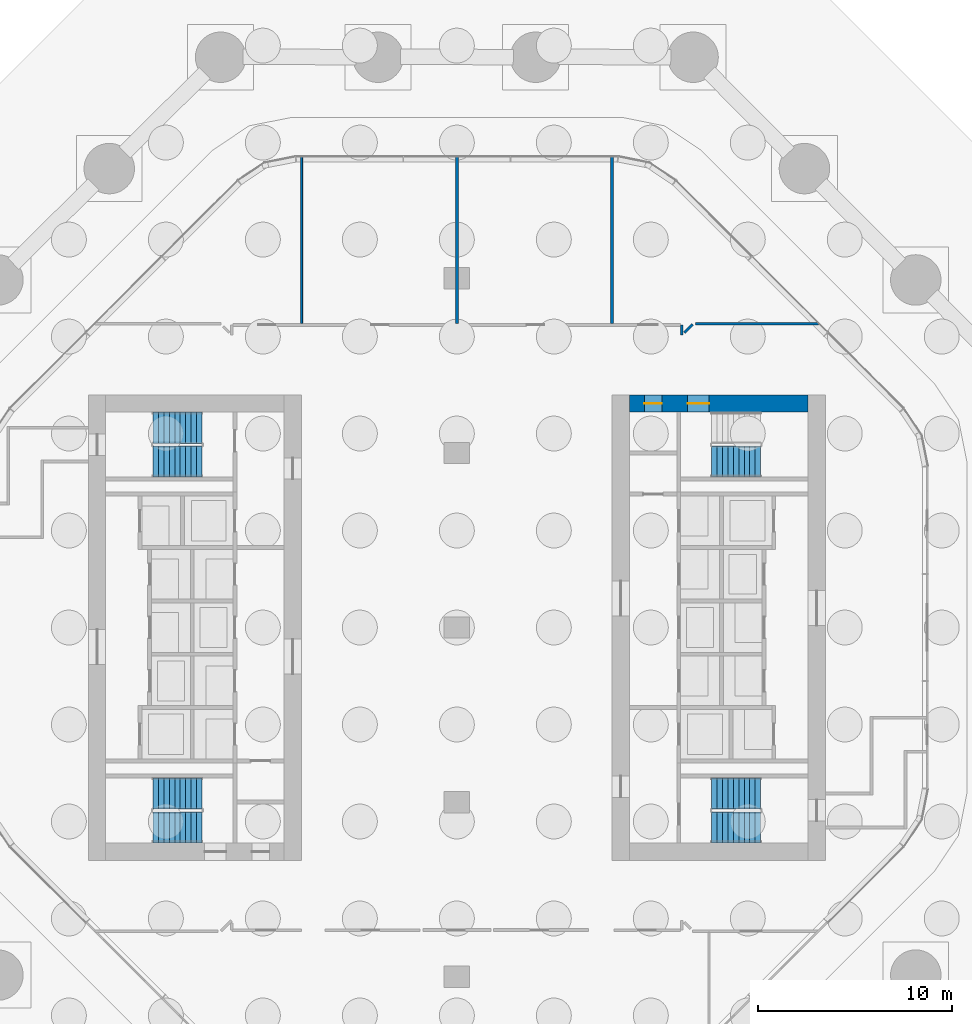
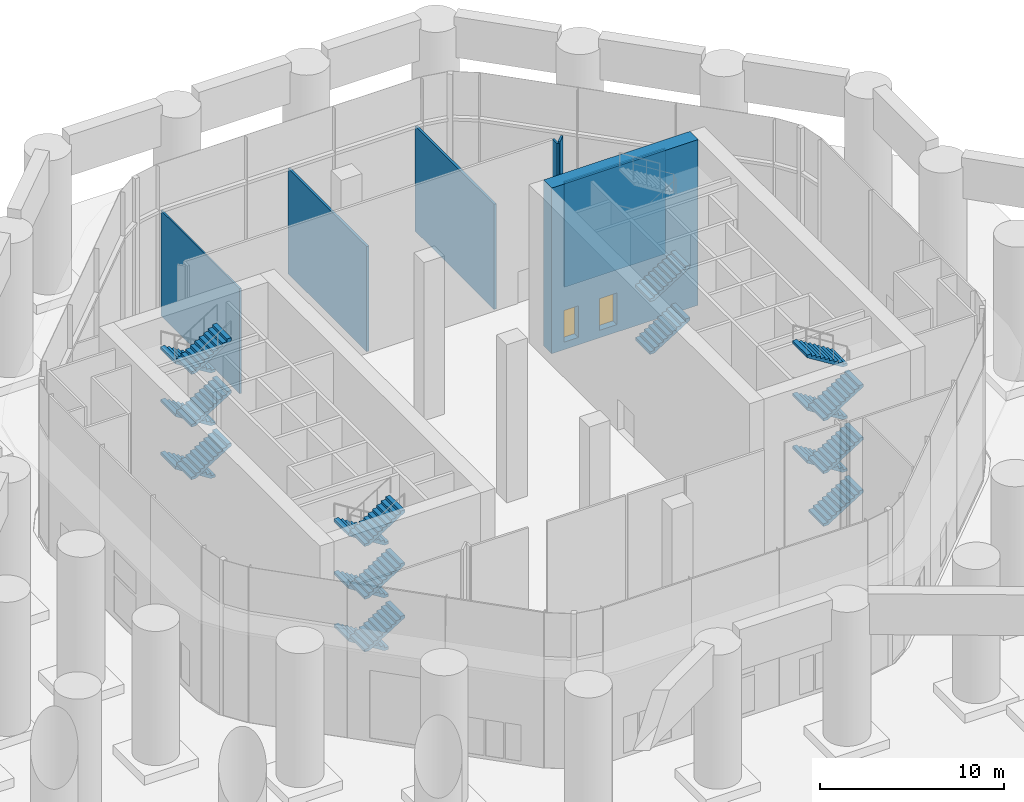
# One storey, part 26 of 31: 20 stair flights, 7 walls, 2 doors, 2 openings, 4 elements without a shape of their own.
"""IFC4 building model written with IfcOpenShell, lengths in metres."""

from ifc_helpers import new_model, si_unit, direction, frame, frame_2d, origin, place, context, subcontext, project, spatial, polyline, rectangle, outline, extrude, material, layer, layer_set, type_object, element, fill, aggregate, save


model = new_model("IFC4")

# Units and contexts
model_context = context("Model", 3, precision=1e-05, world=origin(), true_north=direction((0.0, 1.0)))
body_context = subcontext(model_context, "Body", "Model", "MODEL_VIEW")
ifc_project = project(units=[si_unit("LENGTHUNIT", "METRE"), si_unit("AREAUNIT", "SQUARE_METRE"), si_unit("VOLUMEUNIT", "CUBIC_METRE"), si_unit("PLANEANGLEUNIT", "RADIAN"), si_unit("MASSUNIT", "GRAM", prefix="KILO")], contexts=[model_context])

# Site, building, storey
site_placement = place(None, origin())
site = spatial("IfcSite", under=ifc_project, at=site_placement, CompositionType="ELEMENT")
building_placement = place(site_placement, origin())
building = spatial("IfcBuilding", under=site, at=building_placement, Name="Orlundy Tower", CompositionType="ELEMENT")
storey_placement = place(building_placement, origin())
storey = spatial("IfcBuildingStorey", under=building, at=storey_placement, Name="L00", CompositionType="ELEMENT", Elevation=0.0)

# Wall, openings, doors
ifc_material_1 = material(Name="Concrete C80/95", Category="concrete")
ifc_layer_1 = layer(ifc_material_1, 0.89990234375)
ifc_layer_set_1 = layer_set([ifc_layer_1], Name="CORE WALL 900 C80/95")
wall_type_1 = type_object("IfcWallType", Name="CORE WALL 900 C80/95", PredefinedType="SHEAR", material=ifc_layer_set_1)
wall_1_placement = place(storey_placement, frame((8.89990234375, 11.550048828125, -0.5), z_axis=(0.0, 0.0, 1.0), x_axis=(1.0, 0.0, 0.0)))
wall_1 = element("IfcWall", 1, at=wall_1_placement, inside=storey, type_object=wall_type_1, Name="Core wall E-N L00", PredefinedType="SHEAR", context=body_context, shape_type="SweptSolid", body=[
    extrude(rectangle(XDim=9.2001953125, YDim=0.89990234375, at=frame_2d((4.60009765625, 0.0))), origin(), (0.0, 0.0, 1.0), 11.0),
])
opening_1_placement = place(wall_1_placement, frame((3.0, 0.0, 0.5)))
opening_1 = element("IfcOpeningElement", 2, at=opening_1_placement, cuts=wall_1, Name="Opening 01064", PredefinedType="OPENING", context=body_context, shape_type="SweptSolid", body=[
    extrude(rectangle(XDim=1.10009765625, YDim=2.10009765625, at=frame_2d((0.550048828125, 1.050048828125))), frame((0.0, 0.4599609375, 0.0), z_axis=(0.0, -1.0, 0.0), x_axis=(1.0, 0.0, 0.0)), (0.0, 0.0, 1.0), 0.919921875),
])
opening_2_placement = place(wall_1_placement, frame((0.77001953125, 0.0, 0.5)))
opening_2 = element("IfcOpeningElement", 3, at=opening_2_placement, cuts=wall_1, Name="Opening 01066", PredefinedType="OPENING", context=body_context, shape_type="SweptSolid", body=[
    extrude(rectangle(XDim=0.89990234375, YDim=2.10009765625, at=frame_2d((0.449951171875, 1.050048828125))), frame((0.0, 0.4599609375, 0.0), z_axis=(0.0, -1.0, 0.0), x_axis=(1.0, 0.0, 0.0)), (0.0, 0.0, 1.0), 0.919921875),
])
ifc_material_2 = material(Name="Timber door set", Category="wood")
door_type_1 = type_object("IfcDoorType", Name="Room Door 900x2100", OperationType="SINGLE_SWING_LEFT", PredefinedType="DOOR", material=ifc_material_2)
door_1_placement = place(opening_2_placement, origin())
door_1 = element("IfcDoor", 4, at=door_1_placement, inside=storey, type_object=door_type_1, Name="Store door 01066", OperationType="SINGLE_SWING_LEFT", OverallHeight=2.10009765625, OverallWidth=0.89990234375, PredefinedType="DOOR", context=body_context, shape_type="SweptSolid", body=[
    extrude(rectangle(XDim=0.89990234375, YDim=2.10009765625, at=frame_2d((0.449951171875, 1.050048828125))), frame((0.0, 0.02490234375, 0.0), z_axis=(0.0, -1.0, 0.0), x_axis=(1.0, 0.0, 0.0)), (0.0, 0.0, 1.0), 0.050048828125),
])
fill(opening_2, door_1)
ifc_material_3 = material(Name="Steel door set", Category="steel")
door_type_2 = type_object("IfcDoorType", Name="Stair Door 1100x2100", OperationType="SINGLE_SWING_LEFT", PredefinedType="DOOR", material=ifc_material_3)
door_2_placement = place(opening_1_placement, origin())
door_2 = element("IfcDoor", 5, at=door_2_placement, inside=storey, type_object=door_type_2, Name="Stair door 01064", OperationType="SINGLE_SWING_LEFT", OverallHeight=2.10009765625, OverallWidth=1.10009765625, PredefinedType="DOOR", context=body_context, shape_type="SweptSolid", body=[
    extrude(rectangle(XDim=1.10009765625, YDim=2.10009765625, at=frame_2d((0.550048828125, 1.050048828125))), frame((0.0, 0.02490234375, 0.0), z_axis=(0.0, -1.0, 0.0), x_axis=(1.0, 0.0, 0.0)), (0.0, 0.0, 1.0), 0.050048828125),
])
fill(opening_1, door_2)

# Walls
ifc_material_4 = material(Name="Gypsum board partition")
ifc_layer_2 = layer(ifc_material_4, 0.10009765625)
ifc_layer_set_2 = layer_set([ifc_layer_2], Name="Floor partition 100 B")
wall_type_2 = type_object("IfcWallType", Name="Floor partition 100 B", PredefinedType="PARTITIONING", material=ifc_layer_set_2)
wall_2_placement = place(storey_placement, frame((-8.0, 15.676025390625, 0.0), z_axis=(0.0, 0.0, 1.0), x_axis=(0.0, 1.0, 0.0)))
element("IfcWall", 6, at=wall_2_placement, inside=storey, type_object=wall_type_2, Name="wall-int-L00-022", PredefinedType="PARTITIONING", context=body_context, shape_type="SweptSolid", body=[
    extrude(rectangle(XDim=8.573974609375, YDim=0.10009765625, at=frame_2d((4.287109375, 0.0))), origin(), (0.0, 0.0, 1.0), 6.97998046875),
])
ifc_material_5 = material(Name="Gypsum board partition, double layer")
ifc_layer_3 = layer(ifc_material_5, 0.125)
ifc_layer_set_3 = layer_set([ifc_layer_3], Name="Floor partition 125")
wall_type_3 = type_object("IfcWallType", Name="Floor partition 125", PredefinedType="PARTITIONING", material=ifc_layer_set_3)
wall_3_placement = place(storey_placement, frame((11.72900390625, 15.20703125, 0.0), z_axis=(0.0, 0.0, 1.0), x_axis=(0.707106781187, 0.707106781187, 0.0)))
element("IfcWall", 7, at=wall_3_placement, inside=storey, type_object=wall_type_3, Name="wall-int-L00-015", PredefinedType="PARTITIONING", context=body_context, shape_type="SweptSolid", body=[
    extrude(rectangle(XDim=0.599609375, YDim=0.125, at=frame_2d((0.2998046875, 0.0))), origin(), (0.0, 0.0, 1.0), 10.10009765625),
])
wall_4_placement = place(storey_placement, frame((11.60107421875, 15.092041015625, 0.0), z_axis=(0.0, 0.0, 1.0), x_axis=(0.0, 1.0, 0.0)))
element("IfcWall", 8, at=wall_4_placement, inside=storey, type_object=wall_type_3, Name="wall-int-L00-019", PredefinedType="PARTITIONING", context=body_context, shape_type="SweptSolid", body=[
    extrude(rectangle(XDim=0.508056640625, YDim=0.125, at=frame_2d((0.25390625, 0.0))), origin(), (0.0, 0.0, 1.0), 10.10009765625),
])
ifc_material_6 = material(Name="Gypsum board partition, double layer")
ifc_layer_4 = layer(ifc_material_6, 0.125)
ifc_layer_set_4 = layer_set([ifc_layer_4], Name="Floor partition 125 B")
wall_type_4 = type_object("IfcWallType", Name="Floor partition 125 B", PredefinedType="PARTITIONING", material=ifc_layer_set_4)
wall_5_placement = place(storey_placement, frame((12.31103515625, 15.65087890625, 0.0), z_axis=(0.0, 0.0, 1.0), x_axis=(1.0, 0.0, 0.0)))
element("IfcWall", 9, at=wall_5_placement, inside=storey, type_object=wall_type_4, Name="wall-int-L00-013", PredefinedType="PARTITIONING", context=body_context, shape_type="SweptSolid", body=[
    extrude(rectangle(XDim=6.3310546875, YDim=0.125, at=frame_2d((3.16552734375, 0.0))), origin(), (0.0, 0.0, 1.0), 6.97998046875),
])
ifc_material_7 = material(Name="Blockwork shaft wall", Category="masonry")
ifc_layer_5 = layer(ifc_material_7, 0.14990234375)
ifc_layer_set_5 = layer_set([ifc_layer_5], Name="Floor shaft wall 150 B")
wall_type_5 = type_object("IfcWallType", Name="Floor shaft wall 150 B", PredefinedType="PARTITIONING", material=ifc_layer_set_5)
for number, where, z_axis, x_axis, name in (
    (10, (8.0, 15.676025390625, 0.0), (0.0, 0.0, 1.0), (0.0, 1.0, 0.0), "wall-int-L00-020"),
    (11, (0.0, 15.676025390625, 0.0), (0.0, 0.0, 1.0), (0.0, 1.0, 0.0), "wall-int-L00-021"),
):
    element("IfcWall", number, at=place(storey_placement, frame(where, z_axis=z_axis, x_axis=x_axis)), inside=storey, type_object=wall_type_5, Name=name, PredefinedType="PARTITIONING", context=body_context, shape_type="SweptSolid", body=[
        extrude(rectangle(XDim=8.573974609375, YDim=0.14990234375, at=frame_2d((4.287109375, 0.0))), origin(), (0.0, 0.0, 1.0), 6.97998046875),
    ])

# Stair, stair flights
ifc_material_8 = material(Name="Concrete C50/60", Category="concrete")
stair_type = type_object("IfcStairType", Name="Exit Stair 60 risers", PredefinedType="HALF_TURN_STAIR", material=ifc_material_8)
stair_1_placement = place(storey_placement, origin())
stair_1 = element("IfcStair", 12, at=stair_1_placement, inside=storey, type_object=stair_type, Name="L00 Exit Stair ST-W1", PredefinedType="HALF_TURN_STAIR")
ifc_material_9 = material(Name="Concrete C50/60", Category="concrete")
stair_flight_type = type_object("IfcStairFlightType", Name="Stair Flight 10 risers", PredefinedType="STRAIGHT", material=ifc_material_9)
stair_flight_1_placement = place(storey_placement, frame((-13.139892578125, 10.300048828125, 0.0), z_axis=(0.0, 0.0, 1.0), x_axis=(-1.0, 0.0, 0.0)))
stair_flight_1 = element("IfcStairFlight", 13, at=stair_flight_1_placement, type_object=stair_flight_type, Name="ST-W1 flight 1", NumberOfRisers=10, NumberOfTreads=9, PredefinedType="STRAIGHT", RiserHeight=0.175, TreadLength=0.28, context=body_context, shape_type="SweptSolid", body=[
    extrude(outline(polyline([(0.0, 0.0), (0.0, 0.175048828125), (0.280029296875, 0.175048828125), (0.280029296875, 0.35009765625), (0.56005859375, 0.35009765625), (0.56005859375, 0.52490234375), (0.840087890625, 0.52490234375), (0.840087890625, 0.699951171875), (1.1201171875, 0.699951171875), (1.1201171875, 0.875), (1.39990234375, 0.875), (1.39990234375, 1.050048828125), (1.679931640625, 1.050048828125), (1.679931640625, 1.22509765625), (1.9599609375, 1.22509765625), (1.9599609375, 1.39990234375), (2.239990234375, 1.39990234375), (2.239990234375, 1.574951171875), (2.52001953125, 1.574951171875), (2.52001953125, 1.75), (2.52001953125, 1.398193359375), (0.28271484375, 0.0), (0.0, 0.0)])), frame((0.0, 0.800048828125, 0.0), z_axis=(0.0, -1.0, 0.0), x_axis=(1.0, 0.0, 0.0)), (0.0, 0.0, 1.0), 1.60009765625),
])
stair_flight_2_placement = place(storey_placement, frame((-15.659912109375, 8.550048828125, 1.75), z_axis=(0.0, 0.0, 1.0), x_axis=(1.0, 0.0, 0.0)))
stair_flight_2 = element("IfcStairFlight", 14, at=stair_flight_2_placement, type_object=stair_flight_type, Name="ST-W1 flight 2", NumberOfRisers=10, NumberOfTreads=9, PredefinedType="STRAIGHT", RiserHeight=0.175, TreadLength=0.28, context=body_context, shape_type="SweptSolid", body=[
    extrude(outline(polyline([(0.0, 0.0), (0.0, 0.175048828125), (0.280029296875, 0.175048828125), (0.280029296875, 0.35009765625), (0.56005859375, 0.35009765625), (0.56005859375, 0.52490234375), (0.840087890625, 0.52490234375), (0.840087890625, 0.699951171875), (1.1201171875, 0.699951171875), (1.1201171875, 0.875), (1.39990234375, 0.875), (1.39990234375, 1.050048828125), (1.679931640625, 1.050048828125), (1.679931640625, 1.22509765625), (1.9599609375, 1.22509765625), (1.9599609375, 1.39990234375), (2.239990234375, 1.39990234375), (2.239990234375, 1.574951171875), (2.52001953125, 1.574951171875), (2.52001953125, 1.75), (2.52001953125, 1.398193359375), (0.28271484375, 0.0), (0.0, 0.0)])), frame((0.0, 0.800048828125, 0.0), z_axis=(0.0, -1.0, 0.0), x_axis=(1.0, 0.0, 0.0)), (0.0, 0.0, 1.0), 1.60009765625),
])
stair_flight_3_placement = place(storey_placement, frame((-13.139892578125, 10.300048828125, 3.5), z_axis=(0.0, 0.0, 1.0), x_axis=(-1.0, 0.0, 0.0)))
stair_flight_3 = element("IfcStairFlight", 15, at=stair_flight_3_placement, type_object=stair_flight_type, Name="ST-W1 flight 3", NumberOfRisers=10, NumberOfTreads=9, PredefinedType="STRAIGHT", RiserHeight=0.175, TreadLength=0.28, context=body_context, shape_type="SweptSolid", body=[
    extrude(outline(polyline([(0.0, 0.0), (0.0, 0.175048828125), (0.280029296875, 0.175048828125), (0.280029296875, 0.35009765625), (0.56005859375, 0.35009765625), (0.56005859375, 0.52490234375), (0.840087890625, 0.52490234375), (0.840087890625, 0.699951171875), (1.1201171875, 0.699951171875), (1.1201171875, 0.875), (1.39990234375, 0.875), (1.39990234375, 1.050048828125), (1.679931640625, 1.050048828125), (1.679931640625, 1.22509765625), (1.9599609375, 1.22509765625), (1.9599609375, 1.39990234375), (2.239990234375, 1.39990234375), (2.239990234375, 1.574951171875), (2.52001953125, 1.574951171875), (2.52001953125, 1.75), (2.52001953125, 1.398193359375), (0.28271484375, 0.0), (0.0, 0.0)])), frame((0.0, 0.800048828125, 0.0), z_axis=(0.0, -1.0, 0.0), x_axis=(1.0, 0.0, 0.0)), (0.0, 0.0, 1.0), 1.60009765625),
])
stair_flight_4_placement = place(storey_placement, frame((-15.659912109375, 8.550048828125, 5.25), z_axis=(0.0, 0.0, 1.0), x_axis=(1.0, 0.0, 0.0)))
stair_flight_4 = element("IfcStairFlight", 16, at=stair_flight_4_placement, type_object=stair_flight_type, Name="ST-W1 flight 4", NumberOfRisers=10, NumberOfTreads=9, PredefinedType="STRAIGHT", RiserHeight=0.175, TreadLength=0.28, context=body_context, shape_type="SweptSolid", body=[
    extrude(outline(polyline([(0.0, 0.0), (0.0, 0.175048828125), (0.280029296875, 0.175048828125), (0.280029296875, 0.35009765625), (0.56005859375, 0.35009765625), (0.56005859375, 0.52490234375), (0.840087890625, 0.52490234375), (0.840087890625, 0.699951171875), (1.1201171875, 0.699951171875), (1.1201171875, 0.875), (1.39990234375, 0.875), (1.39990234375, 1.050048828125), (1.679931640625, 1.050048828125), (1.679931640625, 1.22509765625), (1.9599609375, 1.22509765625), (1.9599609375, 1.39990234375), (2.239990234375, 1.39990234375), (2.239990234375, 1.574951171875), (2.52001953125, 1.574951171875), (2.52001953125, 1.75), (2.52001953125, 1.398193359375), (0.28271484375, 0.0), (0.0, 0.0)])), frame((0.0, 0.800048828125, 0.0), z_axis=(0.0, -1.0, 0.0), x_axis=(1.0, 0.0, 0.0)), (0.0, 0.0, 1.0), 1.60009765625),
])
stair_flight_5_placement = place(storey_placement, frame((-13.139892578125, 10.300048828125, 7.0), z_axis=(0.0, 0.0, 1.0), x_axis=(-1.0, 0.0, 0.0)))
stair_flight_5 = element("IfcStairFlight", 17, at=stair_flight_5_placement, type_object=stair_flight_type, Name="ST-W1 flight 5", NumberOfRisers=10, NumberOfTreads=9, PredefinedType="STRAIGHT", RiserHeight=0.175, TreadLength=0.28, context=body_context, shape_type="SweptSolid", body=[
    extrude(outline(polyline([(0.0, 0.0), (0.0, 0.175048828125), (0.280029296875, 0.175048828125), (0.280029296875, 0.35009765625), (0.56005859375, 0.35009765625), (0.56005859375, 0.52490234375), (0.840087890625, 0.52490234375), (0.840087890625, 0.699951171875), (1.1201171875, 0.699951171875), (1.1201171875, 0.875), (1.39990234375, 0.875), (1.39990234375, 1.050048828125), (1.679931640625, 1.050048828125), (1.679931640625, 1.22509765625), (1.9599609375, 1.22509765625), (1.9599609375, 1.39990234375), (2.239990234375, 1.39990234375), (2.239990234375, 1.574951171875), (2.52001953125, 1.574951171875), (2.52001953125, 1.75), (2.52001953125, 1.398193359375), (0.28271484375, 0.0), (0.0, 0.0)])), frame((0.0, 0.800048828125, 0.0), z_axis=(0.0, -1.0, 0.0), x_axis=(1.0, 0.0, 0.0)), (0.0, 0.0, 1.0), 1.60009765625),
])
stair_flight_6_placement = place(storey_placement, frame((-15.659912109375, 8.550048828125, 8.75), z_axis=(0.0, 0.0, 1.0), x_axis=(1.0, 0.0, 0.0)))
stair_flight_6 = element("IfcStairFlight", 18, at=stair_flight_6_placement, type_object=stair_flight_type, Name="ST-W1 flight 6", NumberOfRisers=10, NumberOfTreads=9, PredefinedType="STRAIGHT", RiserHeight=0.175, TreadLength=0.28, context=body_context, shape_type="SweptSolid", body=[
    extrude(outline(polyline([(0.0, 0.0), (0.0, 0.175048828125), (0.280029296875, 0.175048828125), (0.280029296875, 0.35009765625), (0.56005859375, 0.35009765625), (0.56005859375, 0.52490234375), (0.840087890625, 0.52490234375), (0.840087890625, 0.699951171875), (1.1201171875, 0.699951171875), (1.1201171875, 0.875), (1.39990234375, 0.875), (1.39990234375, 1.050048828125), (1.679931640625, 1.050048828125), (1.679931640625, 1.22509765625), (1.9599609375, 1.22509765625), (1.9599609375, 1.39990234375), (2.239990234375, 1.39990234375), (2.239990234375, 1.574951171875), (2.52001953125, 1.574951171875), (2.52001953125, 1.75), (2.52001953125, 1.398193359375), (0.28271484375, 0.0), (0.0, 0.0)])), frame((0.0, 0.800048828125, 0.0), z_axis=(0.0, -1.0, 0.0), x_axis=(1.0, 0.0, 0.0)), (0.0, 0.0, 1.0), 1.60009765625),
])
aggregate(stair_1, [stair_flight_1, stair_flight_2, stair_flight_3, stair_flight_4, stair_flight_5, stair_flight_6])

stair_2_placement = place(storey_placement, origin())
stair_2 = element("IfcStair", 19, at=stair_2_placement, inside=storey, type_object=stair_type, Name="L00 Exit Stair ST-W2", PredefinedType="HALF_TURN_STAIR")
stair_flight_7_placement = place(storey_placement, frame((-13.139892578125, -8.550048828125, 0.0), z_axis=(0.0, 0.0, 1.0), x_axis=(-1.0, 0.0, 0.0)))
stair_flight_7 = element("IfcStairFlight", 20, at=stair_flight_7_placement, type_object=stair_flight_type, Name="ST-W2 flight 1", NumberOfRisers=10, NumberOfTreads=9, PredefinedType="STRAIGHT", RiserHeight=0.175, TreadLength=0.28, context=body_context, shape_type="SweptSolid", body=[
    extrude(outline(polyline([(0.0, 0.0), (0.0, 0.175048828125), (0.280029296875, 0.175048828125), (0.280029296875, 0.35009765625), (0.56005859375, 0.35009765625), (0.56005859375, 0.52490234375), (0.840087890625, 0.52490234375), (0.840087890625, 0.699951171875), (1.1201171875, 0.699951171875), (1.1201171875, 0.875), (1.39990234375, 0.875), (1.39990234375, 1.050048828125), (1.679931640625, 1.050048828125), (1.679931640625, 1.22509765625), (1.9599609375, 1.22509765625), (1.9599609375, 1.39990234375), (2.239990234375, 1.39990234375), (2.239990234375, 1.574951171875), (2.52001953125, 1.574951171875), (2.52001953125, 1.75), (2.52001953125, 1.398193359375), (0.28271484375, 0.0), (0.0, 0.0)])), frame((0.0, 0.800048828125, 0.0), z_axis=(0.0, -1.0, 0.0), x_axis=(1.0, 0.0, 0.0)), (0.0, 0.0, 1.0), 1.60009765625),
])
stair_flight_8_placement = place(storey_placement, frame((-15.659912109375, -10.300048828125, 1.75), z_axis=(0.0, 0.0, 1.0), x_axis=(1.0, 0.0, 0.0)))
stair_flight_8 = element("IfcStairFlight", 21, at=stair_flight_8_placement, type_object=stair_flight_type, Name="ST-W2 flight 2", NumberOfRisers=10, NumberOfTreads=9, PredefinedType="STRAIGHT", RiserHeight=0.175, TreadLength=0.28, context=body_context, shape_type="SweptSolid", body=[
    extrude(outline(polyline([(0.0, 0.0), (0.0, 0.175048828125), (0.280029296875, 0.175048828125), (0.280029296875, 0.35009765625), (0.56005859375, 0.35009765625), (0.56005859375, 0.52490234375), (0.840087890625, 0.52490234375), (0.840087890625, 0.699951171875), (1.1201171875, 0.699951171875), (1.1201171875, 0.875), (1.39990234375, 0.875), (1.39990234375, 1.050048828125), (1.679931640625, 1.050048828125), (1.679931640625, 1.22509765625), (1.9599609375, 1.22509765625), (1.9599609375, 1.39990234375), (2.239990234375, 1.39990234375), (2.239990234375, 1.574951171875), (2.52001953125, 1.574951171875), (2.52001953125, 1.75), (2.52001953125, 1.398193359375), (0.28271484375, 0.0), (0.0, 0.0)])), frame((0.0, 0.800048828125, 0.0), z_axis=(0.0, -1.0, 0.0), x_axis=(1.0, 0.0, 0.0)), (0.0, 0.0, 1.0), 1.60009765625),
])
stair_flight_9_placement = place(storey_placement, frame((-13.139892578125, -8.550048828125, 3.5), z_axis=(0.0, 0.0, 1.0), x_axis=(-1.0, 0.0, 0.0)))
stair_flight_9 = element("IfcStairFlight", 22, at=stair_flight_9_placement, type_object=stair_flight_type, Name="ST-W2 flight 3", NumberOfRisers=10, NumberOfTreads=9, PredefinedType="STRAIGHT", RiserHeight=0.175, TreadLength=0.28, context=body_context, shape_type="SweptSolid", body=[
    extrude(outline(polyline([(0.0, 0.0), (0.0, 0.175048828125), (0.280029296875, 0.175048828125), (0.280029296875, 0.35009765625), (0.56005859375, 0.35009765625), (0.56005859375, 0.52490234375), (0.840087890625, 0.52490234375), (0.840087890625, 0.699951171875), (1.1201171875, 0.699951171875), (1.1201171875, 0.875), (1.39990234375, 0.875), (1.39990234375, 1.050048828125), (1.679931640625, 1.050048828125), (1.679931640625, 1.22509765625), (1.9599609375, 1.22509765625), (1.9599609375, 1.39990234375), (2.239990234375, 1.39990234375), (2.239990234375, 1.574951171875), (2.52001953125, 1.574951171875), (2.52001953125, 1.75), (2.52001953125, 1.398193359375), (0.28271484375, 0.0), (0.0, 0.0)])), frame((0.0, 0.800048828125, 0.0), z_axis=(0.0, -1.0, 0.0), x_axis=(1.0, 0.0, 0.0)), (0.0, 0.0, 1.0), 1.60009765625),
])
stair_flight_10_placement = place(storey_placement, frame((-15.659912109375, -10.300048828125, 5.25), z_axis=(0.0, 0.0, 1.0), x_axis=(1.0, 0.0, 0.0)))
stair_flight_10 = element("IfcStairFlight", 23, at=stair_flight_10_placement, type_object=stair_flight_type, Name="ST-W2 flight 4", NumberOfRisers=10, NumberOfTreads=9, PredefinedType="STRAIGHT", RiserHeight=0.175, TreadLength=0.28, context=body_context, shape_type="SweptSolid", body=[
    extrude(outline(polyline([(0.0, 0.0), (0.0, 0.175048828125), (0.280029296875, 0.175048828125), (0.280029296875, 0.35009765625), (0.56005859375, 0.35009765625), (0.56005859375, 0.52490234375), (0.840087890625, 0.52490234375), (0.840087890625, 0.699951171875), (1.1201171875, 0.699951171875), (1.1201171875, 0.875), (1.39990234375, 0.875), (1.39990234375, 1.050048828125), (1.679931640625, 1.050048828125), (1.679931640625, 1.22509765625), (1.9599609375, 1.22509765625), (1.9599609375, 1.39990234375), (2.239990234375, 1.39990234375), (2.239990234375, 1.574951171875), (2.52001953125, 1.574951171875), (2.52001953125, 1.75), (2.52001953125, 1.398193359375), (0.28271484375, 0.0), (0.0, 0.0)])), frame((0.0, 0.800048828125, 0.0), z_axis=(0.0, -1.0, 0.0), x_axis=(1.0, 0.0, 0.0)), (0.0, 0.0, 1.0), 1.60009765625),
])
stair_flight_11_placement = place(storey_placement, frame((-13.139892578125, -8.550048828125, 7.0), z_axis=(0.0, 0.0, 1.0), x_axis=(-1.0, 0.0, 0.0)))
stair_flight_11 = element("IfcStairFlight", 24, at=stair_flight_11_placement, type_object=stair_flight_type, Name="ST-W2 flight 5", NumberOfRisers=10, NumberOfTreads=9, PredefinedType="STRAIGHT", RiserHeight=0.175, TreadLength=0.28, context=body_context, shape_type="SweptSolid", body=[
    extrude(outline(polyline([(0.0, 0.0), (0.0, 0.175048828125), (0.280029296875, 0.175048828125), (0.280029296875, 0.35009765625), (0.56005859375, 0.35009765625), (0.56005859375, 0.52490234375), (0.840087890625, 0.52490234375), (0.840087890625, 0.699951171875), (1.1201171875, 0.699951171875), (1.1201171875, 0.875), (1.39990234375, 0.875), (1.39990234375, 1.050048828125), (1.679931640625, 1.050048828125), (1.679931640625, 1.22509765625), (1.9599609375, 1.22509765625), (1.9599609375, 1.39990234375), (2.239990234375, 1.39990234375), (2.239990234375, 1.574951171875), (2.52001953125, 1.574951171875), (2.52001953125, 1.75), (2.52001953125, 1.398193359375), (0.28271484375, 0.0), (0.0, 0.0)])), frame((0.0, 0.800048828125, 0.0), z_axis=(0.0, -1.0, 0.0), x_axis=(1.0, 0.0, 0.0)), (0.0, 0.0, 1.0), 1.60009765625),
])
stair_flight_12_placement = place(storey_placement, frame((-15.659912109375, -10.300048828125, 8.75), z_axis=(0.0, 0.0, 1.0), x_axis=(1.0, 0.0, 0.0)))
stair_flight_12 = element("IfcStairFlight", 25, at=stair_flight_12_placement, type_object=stair_flight_type, Name="ST-W2 flight 6", NumberOfRisers=10, NumberOfTreads=9, PredefinedType="STRAIGHT", RiserHeight=0.175, TreadLength=0.28, context=body_context, shape_type="SweptSolid", body=[
    extrude(outline(polyline([(0.0, 0.0), (0.0, 0.175048828125), (0.280029296875, 0.175048828125), (0.280029296875, 0.35009765625), (0.56005859375, 0.35009765625), (0.56005859375, 0.52490234375), (0.840087890625, 0.52490234375), (0.840087890625, 0.699951171875), (1.1201171875, 0.699951171875), (1.1201171875, 0.875), (1.39990234375, 0.875), (1.39990234375, 1.050048828125), (1.679931640625, 1.050048828125), (1.679931640625, 1.22509765625), (1.9599609375, 1.22509765625), (1.9599609375, 1.39990234375), (2.239990234375, 1.39990234375), (2.239990234375, 1.574951171875), (2.52001953125, 1.574951171875), (2.52001953125, 1.75), (2.52001953125, 1.398193359375), (0.28271484375, 0.0), (0.0, 0.0)])), frame((0.0, 0.800048828125, 0.0), z_axis=(0.0, -1.0, 0.0), x_axis=(1.0, 0.0, 0.0)), (0.0, 0.0, 1.0), 1.60009765625),
])
aggregate(stair_2, [stair_flight_7, stair_flight_8, stair_flight_9, stair_flight_10, stair_flight_11, stair_flight_12])

stair_3_placement = place(storey_placement, origin())
stair_3 = element("IfcStair", 26, at=stair_3_placement, inside=storey, type_object=stair_type, Name="L00 Exit Stair ST-E1", PredefinedType="HALF_TURN_STAIR")
stair_flight_13_placement = place(storey_placement, frame((13.139892578125, -10.300048828125, 0.0), z_axis=(0.0, 0.0, 1.0), x_axis=(1.0, 0.0, 0.0)))
stair_flight_13 = element("IfcStairFlight", 27, at=stair_flight_13_placement, type_object=stair_flight_type, Name="ST-E1 flight 1", NumberOfRisers=10, NumberOfTreads=9, PredefinedType="STRAIGHT", RiserHeight=0.175, TreadLength=0.28, context=body_context, shape_type="SweptSolid", body=[
    extrude(outline(polyline([(0.0, 0.0), (0.0, 0.175048828125), (0.280029296875, 0.175048828125), (0.280029296875, 0.35009765625), (0.56005859375, 0.35009765625), (0.56005859375, 0.52490234375), (0.840087890625, 0.52490234375), (0.840087890625, 0.699951171875), (1.1201171875, 0.699951171875), (1.1201171875, 0.875), (1.39990234375, 0.875), (1.39990234375, 1.050048828125), (1.679931640625, 1.050048828125), (1.679931640625, 1.22509765625), (1.9599609375, 1.22509765625), (1.9599609375, 1.39990234375), (2.239990234375, 1.39990234375), (2.239990234375, 1.574951171875), (2.52001953125, 1.574951171875), (2.52001953125, 1.75), (2.52001953125, 1.398193359375), (0.28271484375, 0.0), (0.0, 0.0)])), frame((0.0, 0.800048828125, 0.0), z_axis=(0.0, -1.0, 0.0), x_axis=(1.0, 0.0, 0.0)), (0.0, 0.0, 1.0), 1.60009765625),
])
stair_flight_14_placement = place(storey_placement, frame((15.659912109375, -8.550048828125, 1.75), z_axis=(0.0, 0.0, 1.0), x_axis=(-1.0, 0.0, 0.0)))
stair_flight_14 = element("IfcStairFlight", 28, at=stair_flight_14_placement, type_object=stair_flight_type, Name="ST-E1 flight 2", NumberOfRisers=10, NumberOfTreads=9, PredefinedType="STRAIGHT", RiserHeight=0.175, TreadLength=0.28, context=body_context, shape_type="SweptSolid", body=[
    extrude(outline(polyline([(0.0, 0.0), (0.0, 0.175048828125), (0.280029296875, 0.175048828125), (0.280029296875, 0.35009765625), (0.56005859375, 0.35009765625), (0.56005859375, 0.52490234375), (0.840087890625, 0.52490234375), (0.840087890625, 0.699951171875), (1.1201171875, 0.699951171875), (1.1201171875, 0.875), (1.39990234375, 0.875), (1.39990234375, 1.050048828125), (1.679931640625, 1.050048828125), (1.679931640625, 1.22509765625), (1.9599609375, 1.22509765625), (1.9599609375, 1.39990234375), (2.239990234375, 1.39990234375), (2.239990234375, 1.574951171875), (2.52001953125, 1.574951171875), (2.52001953125, 1.75), (2.52001953125, 1.398193359375), (0.28271484375, 0.0), (0.0, 0.0)])), frame((0.0, 0.800048828125, 0.0), z_axis=(0.0, -1.0, 0.0), x_axis=(1.0, 0.0, 0.0)), (0.0, 0.0, 1.0), 1.60009765625),
])
stair_flight_15_placement = place(storey_placement, frame((13.139892578125, -10.300048828125, 3.5), z_axis=(0.0, 0.0, 1.0), x_axis=(1.0, 0.0, 0.0)))
stair_flight_15 = element("IfcStairFlight", 29, at=stair_flight_15_placement, type_object=stair_flight_type, Name="ST-E1 flight 3", NumberOfRisers=10, NumberOfTreads=9, PredefinedType="STRAIGHT", RiserHeight=0.175, TreadLength=0.28, context=body_context, shape_type="SweptSolid", body=[
    extrude(outline(polyline([(0.0, 0.0), (0.0, 0.175048828125), (0.280029296875, 0.175048828125), (0.280029296875, 0.35009765625), (0.56005859375, 0.35009765625), (0.56005859375, 0.52490234375), (0.840087890625, 0.52490234375), (0.840087890625, 0.699951171875), (1.1201171875, 0.699951171875), (1.1201171875, 0.875), (1.39990234375, 0.875), (1.39990234375, 1.050048828125), (1.679931640625, 1.050048828125), (1.679931640625, 1.22509765625), (1.9599609375, 1.22509765625), (1.9599609375, 1.39990234375), (2.239990234375, 1.39990234375), (2.239990234375, 1.574951171875), (2.52001953125, 1.574951171875), (2.52001953125, 1.75), (2.52001953125, 1.398193359375), (0.28271484375, 0.0), (0.0, 0.0)])), frame((0.0, 0.800048828125, 0.0), z_axis=(0.0, -1.0, 0.0), x_axis=(1.0, 0.0, 0.0)), (0.0, 0.0, 1.0), 1.60009765625),
])
stair_flight_16_placement = place(storey_placement, frame((15.659912109375, -8.550048828125, 5.25), z_axis=(0.0, 0.0, 1.0), x_axis=(-1.0, 0.0, 0.0)))
stair_flight_16 = element("IfcStairFlight", 30, at=stair_flight_16_placement, type_object=stair_flight_type, Name="ST-E1 flight 4", NumberOfRisers=10, NumberOfTreads=9, PredefinedType="STRAIGHT", RiserHeight=0.175, TreadLength=0.28, context=body_context, shape_type="SweptSolid", body=[
    extrude(outline(polyline([(0.0, 0.0), (0.0, 0.175048828125), (0.280029296875, 0.175048828125), (0.280029296875, 0.35009765625), (0.56005859375, 0.35009765625), (0.56005859375, 0.52490234375), (0.840087890625, 0.52490234375), (0.840087890625, 0.699951171875), (1.1201171875, 0.699951171875), (1.1201171875, 0.875), (1.39990234375, 0.875), (1.39990234375, 1.050048828125), (1.679931640625, 1.050048828125), (1.679931640625, 1.22509765625), (1.9599609375, 1.22509765625), (1.9599609375, 1.39990234375), (2.239990234375, 1.39990234375), (2.239990234375, 1.574951171875), (2.52001953125, 1.574951171875), (2.52001953125, 1.75), (2.52001953125, 1.398193359375), (0.28271484375, 0.0), (0.0, 0.0)])), frame((0.0, 0.800048828125, 0.0), z_axis=(0.0, -1.0, 0.0), x_axis=(1.0, 0.0, 0.0)), (0.0, 0.0, 1.0), 1.60009765625),
])
stair_flight_17_placement = place(storey_placement, frame((13.139892578125, -10.300048828125, 7.0), z_axis=(0.0, 0.0, 1.0), x_axis=(1.0, 0.0, 0.0)))
stair_flight_17 = element("IfcStairFlight", 31, at=stair_flight_17_placement, type_object=stair_flight_type, Name="ST-E1 flight 5", NumberOfRisers=10, NumberOfTreads=9, PredefinedType="STRAIGHT", RiserHeight=0.175, TreadLength=0.28, context=body_context, shape_type="SweptSolid", body=[
    extrude(outline(polyline([(0.0, 0.0), (0.0, 0.175048828125), (0.280029296875, 0.175048828125), (0.280029296875, 0.35009765625), (0.56005859375, 0.35009765625), (0.56005859375, 0.52490234375), (0.840087890625, 0.52490234375), (0.840087890625, 0.699951171875), (1.1201171875, 0.699951171875), (1.1201171875, 0.875), (1.39990234375, 0.875), (1.39990234375, 1.050048828125), (1.679931640625, 1.050048828125), (1.679931640625, 1.22509765625), (1.9599609375, 1.22509765625), (1.9599609375, 1.39990234375), (2.239990234375, 1.39990234375), (2.239990234375, 1.574951171875), (2.52001953125, 1.574951171875), (2.52001953125, 1.75), (2.52001953125, 1.398193359375), (0.28271484375, 0.0), (0.0, 0.0)])), frame((0.0, 0.800048828125, 0.0), z_axis=(0.0, -1.0, 0.0), x_axis=(1.0, 0.0, 0.0)), (0.0, 0.0, 1.0), 1.60009765625),
])
stair_flight_18_placement = place(storey_placement, frame((15.659912109375, -8.550048828125, 8.75), z_axis=(0.0, 0.0, 1.0), x_axis=(-1.0, 0.0, 0.0)))
stair_flight_18 = element("IfcStairFlight", 32, at=stair_flight_18_placement, type_object=stair_flight_type, Name="ST-E1 flight 6", NumberOfRisers=10, NumberOfTreads=9, PredefinedType="STRAIGHT", RiserHeight=0.175, TreadLength=0.28, context=body_context, shape_type="SweptSolid", body=[
    extrude(outline(polyline([(0.0, 0.0), (0.0, 0.175048828125), (0.280029296875, 0.175048828125), (0.280029296875, 0.35009765625), (0.56005859375, 0.35009765625), (0.56005859375, 0.52490234375), (0.840087890625, 0.52490234375), (0.840087890625, 0.699951171875), (1.1201171875, 0.699951171875), (1.1201171875, 0.875), (1.39990234375, 0.875), (1.39990234375, 1.050048828125), (1.679931640625, 1.050048828125), (1.679931640625, 1.22509765625), (1.9599609375, 1.22509765625), (1.9599609375, 1.39990234375), (2.239990234375, 1.39990234375), (2.239990234375, 1.574951171875), (2.52001953125, 1.574951171875), (2.52001953125, 1.75), (2.52001953125, 1.398193359375), (0.28271484375, 0.0), (0.0, 0.0)])), frame((0.0, 0.800048828125, 0.0), z_axis=(0.0, -1.0, 0.0), x_axis=(1.0, 0.0, 0.0)), (0.0, 0.0, 1.0), 1.60009765625),
])
aggregate(stair_3, [stair_flight_13, stair_flight_14, stair_flight_15, stair_flight_16, stair_flight_17, stair_flight_18])

stair_4_placement = place(storey_placement, origin())
stair_4 = element("IfcStair", 33, at=stair_4_placement, inside=storey, type_object=stair_type, Name="L00 Exit Stair ST-E2", PredefinedType="HALF_TURN_STAIR")
stair_flight_19_placement = place(storey_placement, frame((13.139892578125, 8.550048828125, 0.0), z_axis=(0.0, 0.0, 1.0), x_axis=(1.0, 0.0, 0.0)))
stair_flight_19 = element("IfcStairFlight", 34, at=stair_flight_19_placement, type_object=stair_flight_type, Name="ST-E2 flight 1", NumberOfRisers=10, NumberOfTreads=9, PredefinedType="STRAIGHT", RiserHeight=0.175, TreadLength=0.28, context=body_context, shape_type="SweptSolid", body=[
    extrude(outline(polyline([(0.0, 0.0), (0.0, 0.175048828125), (0.280029296875, 0.175048828125), (0.280029296875, 0.35009765625), (0.56005859375, 0.35009765625), (0.56005859375, 0.52490234375), (0.840087890625, 0.52490234375), (0.840087890625, 0.699951171875), (1.1201171875, 0.699951171875), (1.1201171875, 0.875), (1.39990234375, 0.875), (1.39990234375, 1.050048828125), (1.679931640625, 1.050048828125), (1.679931640625, 1.22509765625), (1.9599609375, 1.22509765625), (1.9599609375, 1.39990234375), (2.239990234375, 1.39990234375), (2.239990234375, 1.574951171875), (2.52001953125, 1.574951171875), (2.52001953125, 1.75), (2.52001953125, 1.398193359375), (0.28271484375, 0.0), (0.0, 0.0)])), frame((0.0, 0.800048828125, 0.0), z_axis=(0.0, -1.0, 0.0), x_axis=(1.0, 0.0, 0.0)), (0.0, 0.0, 1.0), 1.60009765625),
])
stair_flight_20_placement = place(storey_placement, frame((13.139892578125, 8.550048828125, 3.5), z_axis=(0.0, 0.0, 1.0), x_axis=(1.0, 0.0, 0.0)))
stair_flight_20 = element("IfcStairFlight", 35, at=stair_flight_20_placement, type_object=stair_flight_type, Name="ST-E2 flight 3", NumberOfRisers=10, NumberOfTreads=9, PredefinedType="STRAIGHT", RiserHeight=0.175, TreadLength=0.28, context=body_context, shape_type="SweptSolid", body=[
    extrude(outline(polyline([(0.0, 0.0), (0.0, 0.175048828125), (0.280029296875, 0.175048828125), (0.280029296875, 0.35009765625), (0.56005859375, 0.35009765625), (0.56005859375, 0.52490234375), (0.840087890625, 0.52490234375), (0.840087890625, 0.699951171875), (1.1201171875, 0.699951171875), (1.1201171875, 0.875), (1.39990234375, 0.875), (1.39990234375, 1.050048828125), (1.679931640625, 1.050048828125), (1.679931640625, 1.22509765625), (1.9599609375, 1.22509765625), (1.9599609375, 1.39990234375), (2.239990234375, 1.39990234375), (2.239990234375, 1.574951171875), (2.52001953125, 1.574951171875), (2.52001953125, 1.75), (2.52001953125, 1.398193359375), (0.28271484375, 0.0), (0.0, 0.0)])), frame((0.0, 0.800048828125, 0.0), z_axis=(0.0, -1.0, 0.0), x_axis=(1.0, 0.0, 0.0)), (0.0, 0.0, 1.0), 1.60009765625),
])
aggregate(stair_4, [stair_flight_19, stair_flight_20])

save(model, "model.ifc")
